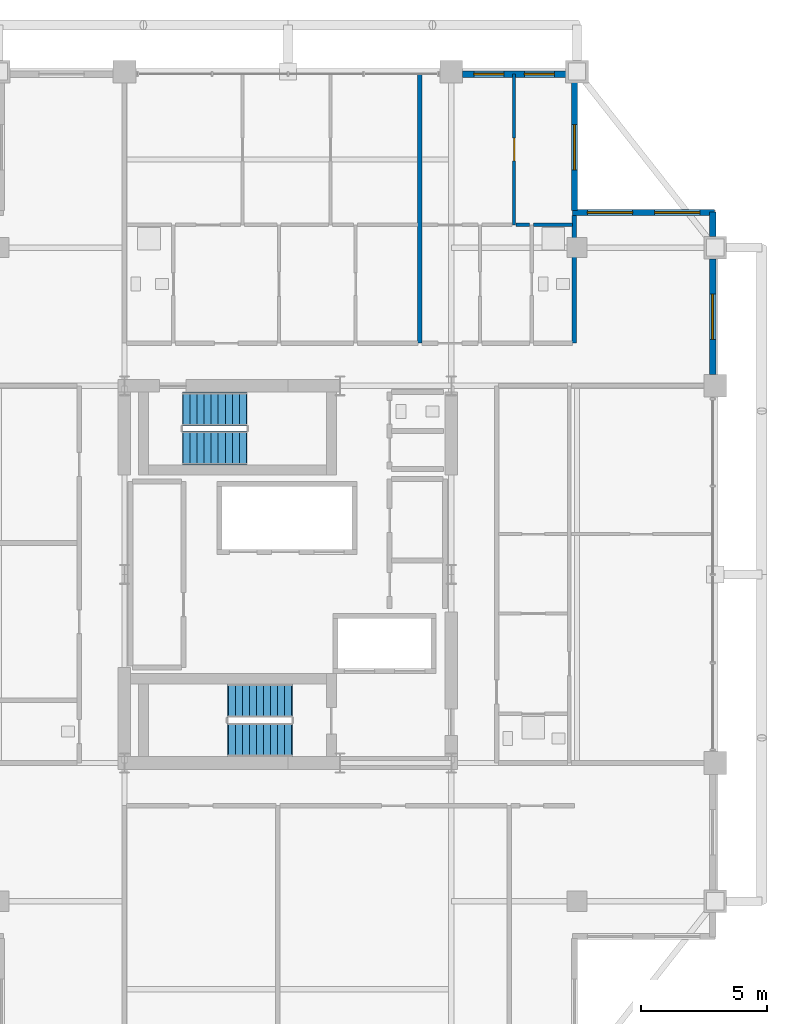
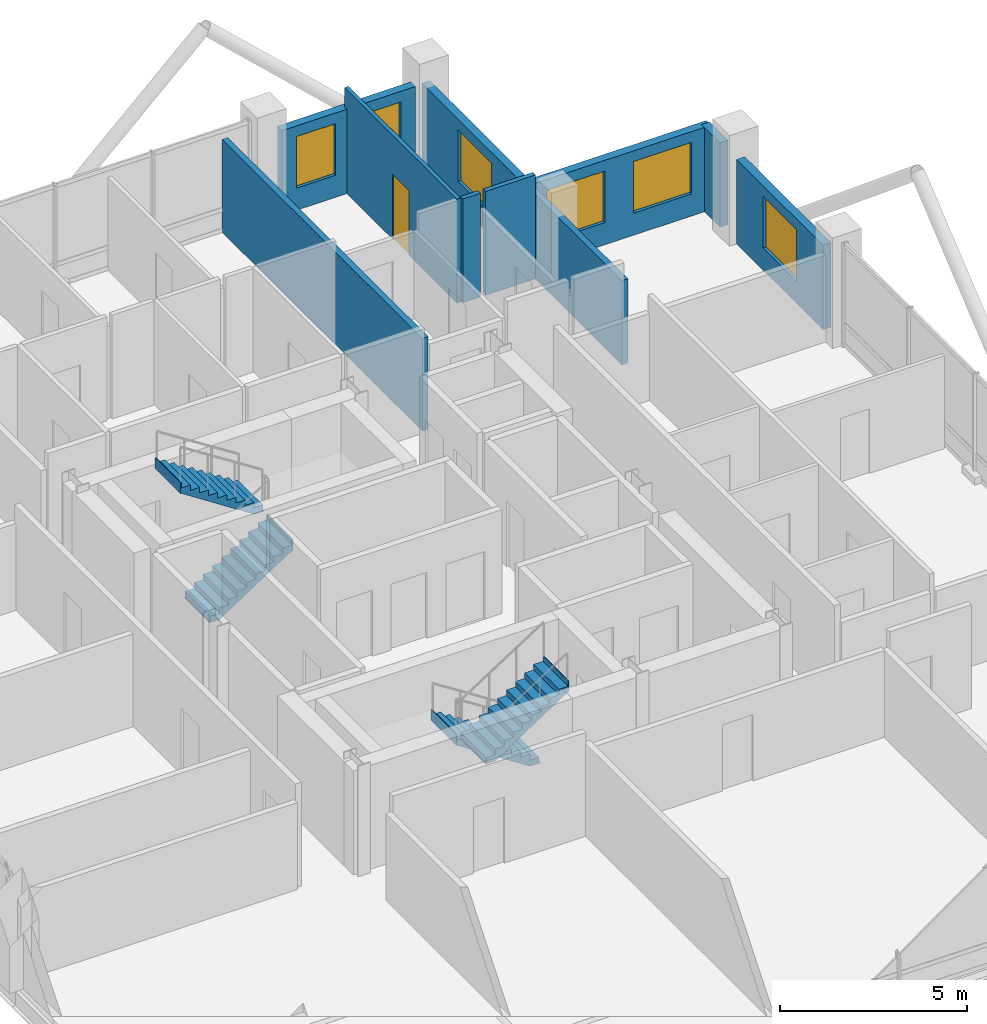
# One storey, part 22 of 24: 10 walls, 6 windows, 4 stair flights, 1 door, 7 openings, 2 elements without a shape of their own.
"""IFC4 building model written with IfcOpenShell, lengths in metres."""

import ifcopenshell
import ifcopenshell.guid

model = None  # the IFC model being written
_history = None  # IfcOwnerHistory: only IFC2X3 demands one
_inside = {}  # id of a spatial element -> (the spatial element, [elements in it])
_under = {}  # id of a project, library or spatial element -> (it, [spatial elements below it])
_declared = {}  # id of a project -> (the project, [libraries it declares])
_typed = {}  # id of a type object -> (the type object, [elements of that type])
_made_of = {}  # id of a material, layer set ... -> (it, [elements and type objects made of it])


def new_model(schema):
    """Start an empty IFC model of exactly this schema.

    Asked for "IFC4X3", IfcOpenShell would pick the latest addendum, in which some entities
    have other attributes; the version numbers below select the first issue.
    IFC2X3 requires an IfcOwnerHistory on every rooted entity: one is made here for all.
    """
    global model, _history
    if schema == "IFC4X3":
        model = ifcopenshell.file(schema_version=(4, 3, 0, 0))
    else:
        model = ifcopenshell.file(schema=schema)
    _inside.clear()
    _under.clear()
    _declared.clear()
    _typed.clear()
    _made_of.clear()
    _history = None
    if model.schema == "IFC2X3":
        org = make("IfcOrganization", Name="unknown")
        user = make(
            "IfcPersonAndOrganization",
            ThePerson=make("IfcPerson", FamilyName="unknown"),
            TheOrganization=org,
        )
        app = make(
            "IfcApplication",
            ApplicationDeveloper=org,
            Version="unknown",
            ApplicationFullName="unknown",
            ApplicationIdentifier="unknown",
        )
        _history = make(
            "IfcOwnerHistory",
            OwningUser=user,
            OwningApplication=app,
            ChangeAction="ADDED",
            CreationDate=0,
        )
    return model


def make(cls, **values):
    """One entity of the class cls with the attributes given. An attribute that is None is left unset."""
    return model.create_entity(
        cls, **{name: value for name, value in values.items() if value is not None}
    )


def rooted(cls, **values):
    """An entity with a GlobalId (a new one), such as an element, a storey or a relation."""
    return make(cls, GlobalId=ifcopenshell.guid.new(), OwnerHistory=_history, **values)


def si_unit(unit_type, name, prefix=None):
    """IfcSIUnit, for example si_unit("LENGTHUNIT", "METRE", prefix="MILLI")."""
    return make("IfcSIUnit", UnitType=unit_type, Prefix=prefix, Name=name)


def assignment(units):
    """IfcUnitAssignment: the units of a project."""
    return None if units is None else make("IfcUnitAssignment", Units=units)


def point(xyz):
    """IfcCartesianPoint."""
    return None if xyz is None else make("IfcCartesianPoint", Coordinates=xyz)


def direction(xyz):
    """IfcDirection."""
    return None if xyz is None else make("IfcDirection", DirectionRatios=xyz)


def frame(location, z_axis=None, x_axis=None):
    """IfcAxis2Placement3D, a coordinate frame: its origin and axes. An axis left out is left unset."""
    return make(
        "IfcAxis2Placement3D",
        Location=point(location),
        Axis=direction(z_axis),
        RefDirection=direction(x_axis),
    )


def frame_2d(location, x_axis=None):
    """IfcAxis2Placement2D, a coordinate frame in the plane: its origin and x axis."""
    return make(
        "IfcAxis2Placement2D", Location=point(location), RefDirection=direction(x_axis)
    )


def origin():
    """The frame at (0, 0, 0) with its axes left unset."""
    return frame((0.0, 0.0, 0.0))


def place(relative_to, where):
    """IfcLocalPlacement: puts the frame where relative to a parent placement (None: the world)."""
    return make(
        "IfcLocalPlacement", PlacementRelTo=relative_to, RelativePlacement=where
    )


def context(
    kind, dimensions, precision=None, world=None, true_north=None, identifier=None
):
    """IfcGeometricRepresentationContext, for example the 3D "Model" context."""
    return make(
        "IfcGeometricRepresentationContext",
        ContextIdentifier=identifier,
        ContextType=kind,
        CoordinateSpaceDimension=dimensions,
        Precision=precision,
        WorldCoordinateSystem=world,
        TrueNorth=true_north,
    )


def subcontext(parent, identifier, kind, view, scale=None):
    """IfcGeometricRepresentationSubContext, for example "Body" below "Model"."""
    return make(
        "IfcGeometricRepresentationSubContext",
        ContextIdentifier=identifier,
        ContextType=kind,
        ParentContext=parent,
        TargetScale=scale,
        TargetView=view,
    )


def project(units=None, contexts=None):
    """IfcProject with its units and contexts."""
    return rooted(
        "IfcProject",
        Name="project",
        RepresentationContexts=contexts,
        UnitsInContext=assignment(units),
    )


def spatial(cls, under=None, at=None, **own):
    """A site, building, storey or space (cls), placed at a placement, below another one or the project."""
    s = rooted(cls, ObjectPlacement=at, **own)
    if under is not None:
        _under.setdefault(under.id(), (under, []))[1].append(s)
    return s


def polyline(points):
    """IfcPolyline through the points."""
    return make("IfcPolyline", Points=[point(p) for p in points])


def profile(cls, at=None, kind="AREA", **sizes):
    """A parametric profile (cls). Its sizes go by their IFC names, for example OverallWidth=200.0."""
    return make(cls, ProfileType=kind, Position=at, **sizes)


def rectangle(**sizes):
    """IfcRectangleProfileDef."""
    return profile("IfcRectangleProfileDef", **sizes)


def outline(outer, holes=None, kind="AREA"):
    """IfcArbitraryClosedProfileDef: a profile drawn as a closed curve; with holes, ...WithVoids."""
    if holes is None:
        return make("IfcArbitraryClosedProfileDef", ProfileType=kind, OuterCurve=outer)
    return make(
        "IfcArbitraryProfileDefWithVoids",
        ProfileType=kind,
        OuterCurve=outer,
        InnerCurves=holes,
    )


def extrude(swept, where, along, depth):
    """IfcExtrudedAreaSolid: the profile swept, set in the frame where, extruded along a direction by depth."""
    return make(
        "IfcExtrudedAreaSolid",
        SweptArea=swept,
        Position=where,
        ExtrudedDirection=direction(along),
        Depth=depth,
    )


def shape(context_of_items, identifier, shape_type, items):
    """IfcShapeRepresentation: the items that make up one representation, for example the "Body"."""
    return make(
        "IfcShapeRepresentation",
        ContextOfItems=context_of_items,
        RepresentationIdentifier=identifier,
        RepresentationType=shape_type,
        Items=items,
    )


def material(Name=None, Category=None):
    """IfcMaterial."""
    return make("IfcMaterial", Name=Name, Category=Category)


def layer(
    of_material, thickness, ventilated=None, Name=None, Category=None, Priority=None
):
    """IfcMaterialLayer: one layer of a wall or slab, of a material (None: an air gap)."""
    return make(
        "IfcMaterialLayer",
        Material=of_material,
        LayerThickness=thickness,
        IsVentilated=ventilated,
        Name=Name,
        Category=Category,
        Priority=Priority,
    )


def layer_set(layers, Name=None):
    """IfcMaterialLayerSet."""
    return make("IfcMaterialLayerSet", MaterialLayers=layers, LayerSetName=Name)


def made_of(thing, what):
    """Note that an element or type object is made of a material, layer set ...; save() writes the relation."""
    if what is not None:
        _made_of.setdefault(what.id(), (what, []))[1].append(thing)
    return thing


def type_object(cls, material=None, **own):
    """A type object (cls), such as IfcWallType, which elements share."""
    return made_of(rooted(cls, **own), material)


def element(
    cls,
    number,
    at=None,
    inside=None,
    cuts=None,
    type_object=None,
    material=None,
    context=None,
    identifier="Body",
    shape_type=None,
    held_by="IfcProductDefinitionShape",
    body=None,
    shapes=None,
    **own,
):
    """One element of the class cls, such as IfcWall. Its Tag is "e" and its number.

    at: its placement. inside: the storey or other place that contains it. cuts: it is an
    opening in that element (IfcRelVoidsElement). A single representation is given by context,
    identifier, shape_type and body (its items); several are given by shapes. held_by: the class
    of the entity that holds the representations. save() writes the other relations.
    """
    e = rooted(cls, Tag="e%d" % number, ObjectPlacement=at, **own)
    if body is not None:
        shapes = [shape(context, identifier, shape_type, body)]
    if shapes is not None:
        e.Representation = make(held_by, Representations=shapes)
    if inside is not None:
        _inside.setdefault(inside.id(), (inside, []))[1].append(e)
    if cuts is not None:
        rooted(
            "IfcRelVoidsElement", RelatingBuildingElement=cuts, RelatedOpeningElement=e
        )
    if type_object is not None:
        _typed.setdefault(type_object.id(), (type_object, []))[1].append(e)
    return made_of(e, material)


def fill(opening, filler):
    """IfcRelFillsElement: the door or window that sits in an opening."""
    return rooted(
        "IfcRelFillsElement",
        RelatingOpeningElement=opening,
        RelatedBuildingElement=filler,
    )


def aggregate(whole, parts):
    """IfcRelAggregates: a whole, such as a stair, and the parts it consists of."""
    return rooted("IfcRelAggregates", RelatingObject=whole, RelatedObjects=parts)


def save(model, path):
    """Write the relations noted so far, then the file.

    IfcRelAggregates (storeys below a building ...), IfcRelContainedInSpatialStructure (elements
    in a storey), IfcRelDefinesByType, IfcRelAssociatesMaterial and IfcRelDeclares: one each for
    every whole, place, type object, material and project.
    """
    for whole, parts in _under.values():
        aggregate(whole, parts)
    for where, things in _inside.values():
        rooted(
            "IfcRelContainedInSpatialStructure",
            RelatedElements=things,
            RelatingStructure=where,
        )
    for kind, things in _typed.values():
        rooted("IfcRelDefinesByType", RelatedObjects=things, RelatingType=kind)
    for what, things in _made_of.values():
        rooted("IfcRelAssociatesMaterial", RelatedObjects=things, RelatingMaterial=what)
    for by, libraries in _declared.values():
        rooted("IfcRelDeclares", RelatingContext=by, RelatedDefinitions=libraries)
    model.write(path)


model = new_model("IFC4")

# Units and contexts
model_context = context("Model", 3, precision=1e-05, world=origin(), true_north=direction((0.0, 1.0)))
body_context = subcontext(model_context, "Body", "Model", "MODEL_VIEW")
ifc_project = project(units=[si_unit("LENGTHUNIT", "METRE"), si_unit("AREAUNIT", "SQUARE_METRE"), si_unit("VOLUMEUNIT", "CUBIC_METRE"), si_unit("PLANEANGLEUNIT", "RADIAN"), si_unit("MASSUNIT", "GRAM", prefix="KILO")], contexts=[model_context])

# Site, building, storey
site_placement = place(None, origin())
site = spatial("IfcSite", under=ifc_project, at=site_placement, CompositionType="ELEMENT")
building_placement = place(site_placement, origin())
building = spatial("IfcBuilding", under=site, at=building_placement, Name="Barlavira Tower and Art Museum", CompositionType="ELEMENT")
storey_placement = place(building_placement, frame((0.0, 0.0, 283.5)))
storey = spatial("IfcBuildingStorey", under=building, at=storey_placement, Name="L74", CompositionType="ELEMENT", Elevation=283.5)

# Wall, opening, door
ifc_material_1 = material(Name="Gypsum acoustic stud partition", Category="gypsum")
ifc_layer_1 = layer(ifc_material_1, 0.1201171875, Name="Gypsum acoustic stud partition")
ifc_layer_set_1 = layer_set([ifc_layer_1], Name="Gypsum acoustic stud partition")
wall_type_1 = type_object("IfcWallType", Name="Apartment Internal Acoustic Partition 120", PredefinedType="PARTITIONING", material=ifc_layer_set_1)
wall_1_placement = place(storey_placement, frame((9.0, 13.89990234375, 0.0), z_axis=(0.0, 0.0, 1.0), x_axis=(0.0, 1.0, 0.0)))
wall_1 = element("IfcWall", 1, at=wall_1_placement, inside=storey, type_object=wall_type_1, Name="L74 Partition Wall 19", PredefinedType="PARTITIONING", context=body_context, shape_type="SweptSolid", body=[
    extrude(rectangle(XDim=6.0, YDim=0.1201171875, at=frame_2d((3.0, 0.0))), origin(), (0.0, 0.0, 1.0), 3.3798828125),
])
opening_1_placement = place(wall_1_placement, frame((2.550048828125, 0.0, 0.0)))
opening_1 = element("IfcOpeningElement", 2, at=opening_1_placement, cuts=wall_1, Name="Opening D-01", PredefinedType="OPENING", context=body_context, shape_type="SweptSolid", body=[
    extrude(rectangle(XDim=0.89990234375, YDim=2.10009765625, at=frame_2d((0.449951171875, 1.050048828125))), frame((0.0, 0.070068359375, 0.0), z_axis=(0.0, -1.0, 0.0), x_axis=(1.0, 0.0, 0.0)), (0.0, 0.0, 1.0), 0.14013671875),
])
ifc_material_2 = material(Name="Engineered coastal hardwood", Category="wood")
door_type = type_object("IfcDoorType", Name="Internal Bedroom Timber Flush Door 900x2100", OperationType="NOTDEFINED", PredefinedType="DOOR", material=ifc_material_2)
door_placement = place(opening_1_placement, origin())
door = element("IfcDoor", 3, at=door_placement, inside=storey, type_object=door_type, Name="Apartment N2 Bedroom 1 Door", OperationType="SINGLE_SWING_LEFT", OverallHeight=2.10009765625, OverallWidth=0.89990234375, PredefinedType="DOOR", context=body_context, shape_type="SweptSolid", body=[
    extrude(rectangle(XDim=0.89990234375, YDim=2.10009765625, at=frame_2d((0.449951171875, 1.050048828125))), frame((0.0, 0.02490234375, 0.0), z_axis=(0.0, -1.0, 0.0), x_axis=(1.0, 0.0, 0.0)), (0.0, 0.0, 1.0), 0.050048828125),
])
fill(opening_1, door)

# Walls
ifc_layer_2 = layer(ifc_material_1, 0.179931640625, Name="Gypsum acoustic stud partition")
ifc_layer_set_2 = layer_set([ifc_layer_2], Name="Gypsum acoustic stud partition")
wall_type_2 = type_object("IfcWallType", Name="Inter-Tenancy Party Partition Wall 180", PredefinedType="PARTITIONING", material=ifc_layer_set_2)
wall_2_placement = place(storey_placement, frame((5.25, 9.199951171875, 0.0), z_axis=(0.0, 0.0, 1.0), x_axis=(0.0, 1.0, 0.0)))
element("IfcWall", 4, at=wall_2_placement, inside=storey, type_object=wall_type_2, Name="L74 Partition Wall 14", PredefinedType="PARTITIONING", context=body_context, shape_type="SweptSolid", body=[
    extrude(rectangle(XDim=10.699951171875, YDim=0.179931640625, at=frame_2d((5.35009765625, 0.0))), origin(), (0.0, 0.0, 1.0), 3.01806640625),
])
wall_3_placement = place(storey_placement, frame((11.39990234375, 9.199951171875, 0.0), z_axis=(0.0, 0.0, 1.0), x_axis=(0.0, 1.0, 0.0)))
element("IfcWall", 5, at=wall_3_placement, inside=storey, type_object=wall_type_2, Name="L74 Partition Wall 22", PredefinedType="PARTITIONING", context=body_context, shape_type="SweptSolid", body=[
    extrude(rectangle(XDim=5.070068359375, YDim=0.179931640625, at=frame_2d((2.53515625, 0.0))), origin(), (0.0, 0.0, 1.0), 2.748046875),
])
ifc_layer_3 = layer(ifc_material_1, 0.139892578125, Name="Gypsum acoustic stud partition")
ifc_layer_set_3 = layer_set([ifc_layer_3], Name="Gypsum acoustic stud partition")
wall_type_3 = type_object("IfcWallType", Name="Moisture-Resistant Bathroom Partition 140", PredefinedType="PARTITIONING", material=ifc_layer_set_3)
wall_4_placement = place(storey_placement, frame((9.080078125, 13.89990234375, 0.0), z_axis=(0.0, 0.0, 1.0), x_axis=(1.0, 0.0, 0.0)))
element("IfcWall", 6, at=wall_4_placement, inside=storey, type_object=wall_type_3, Name="L74 Partition Wall 60", PredefinedType="PARTITIONING", context=body_context, shape_type="SweptSolid", body=[
    extrude(rectangle(XDim=0.5400390625, YDim=0.139892578125, at=frame_2d((0.27001953125, 0.0))), origin(), (0.0, 0.0, 1.0), 3.3798828125),
])
wall_5_placement = place(storey_placement, frame((9.780029296875, 13.89990234375, 0.0), z_axis=(0.0, 0.0, 1.0), x_axis=(1.0, 0.0, 0.0)))
element("IfcWall", 7, at=wall_5_placement, inside=storey, type_object=wall_type_3, Name="L74 Partition Wall 61", PredefinedType="PARTITIONING", context=body_context, shape_type="SweptSolid", body=[
    extrude(rectangle(XDim=1.5400390625, YDim=0.139892578125, at=frame_2d((0.77001953125, 0.0))), origin(), (0.0, 0.0, 1.0), 3.3798828125),
])

# Wall, openings, windows
ifc_material_3 = material(Name="Precast concrete C40", Category="concrete")
ifc_layer_4 = layer(ifc_material_3, 0.25, Name="Precast concrete C40")
ifc_layer_set_4 = layer_set([ifc_layer_4], Name="Precast concrete C40")
wall_type_4 = type_object("IfcWallType", Name="Notched Corner Spandrel Wall 250 Precast Concrete C40", PredefinedType="SOLIDWALL", material=ifc_layer_set_4)
wall_6_placement = place(storey_placement, frame((11.054931640625, 19.89990234375, 0.0), z_axis=(0.0, 0.0, 1.0), x_axis=(-1.0, 0.0, 0.0)))
wall_6 = element("IfcWall", 8, at=wall_6_placement, inside=storey, type_object=wall_type_4, Name="L74 Coastal Facade Pier Wall CW4-L74-N-1", PredefinedType="SOLIDWALL", context=body_context, shape_type="SweptSolid", body=[
    extrude(rectangle(XDim=4.10986328125, YDim=0.25, at=frame_2d((2.054931640625, 0.0))), origin(), (0.0, 0.0, 1.0), 2.748046875),
])
opening_2_placement = place(wall_6_placement, frame((0.449951171875, 0.0, 0.719970703125)))
opening_2 = element("IfcOpeningElement", 9, at=opening_2_placement, cuts=wall_6, Name="Opening WN-05", PredefinedType="OPENING", context=body_context, shape_type="SweptSolid", body=[
    extrude(rectangle(XDim=1.199951171875, YDim=1.679931640625, at=frame_2d((0.60009765625, 0.83984375))), frame((0.0, 0.135009765625, 0.0), z_axis=(0.0, -1.0, 0.0), x_axis=(1.0, 0.0, 0.0)), (0.0, 0.0, 1.0), 0.27001953125),
])
opening_3_placement = place(wall_6_placement, frame((2.4599609375, 0.0, 0.719970703125)))
opening_3 = element("IfcOpeningElement", 10, at=opening_3_placement, cuts=wall_6, Name="Opening WN-05", PredefinedType="OPENING", context=body_context, shape_type="SweptSolid", body=[
    extrude(rectangle(XDim=1.199951171875, YDim=1.679931640625, at=frame_2d((0.60009765625, 0.83984375))), frame((0.0, 0.135009765625, 0.0), z_axis=(0.0, -1.0, 0.0), x_axis=(1.0, 0.0, 0.0)), (0.0, 0.0, 1.0), 0.27001953125),
])
ifc_material_4 = material(Name="Low-iron coastal laminated glass", Category="glass")
window_type_1 = type_object("IfcWindowType", Name="Recessed Flank Pier Punch Window 1200x1680", PartitioningType="SINGLE_PANEL", PredefinedType="WINDOW", material=ifc_material_4)
window_1_placement = place(opening_2_placement, origin())
window_1 = element("IfcWindow", 11, at=window_1_placement, inside=storey, type_object=window_type_1, Name="L74 Punched Facade Window EWP-CW4-L74-N-1-1", OverallHeight=1.679931640625, OverallWidth=1.199951171875, PartitioningType="SINGLE_PANEL", PredefinedType="WINDOW", context=body_context, shape_type="SweptSolid", body=[
    extrude(rectangle(XDim=1.199951171875, YDim=1.679931640625, at=frame_2d((0.60009765625, 0.83984375))), frame((0.0, 0.030029296875, 0.0), z_axis=(0.0, -1.0, 0.0), x_axis=(1.0, 0.0, 0.0)), (0.0, 0.0, 1.0), 0.06005859375),
])
fill(opening_2, window_1)
window_2_placement = place(opening_3_placement, origin())
window_2 = element("IfcWindow", 12, at=window_2_placement, inside=storey, type_object=window_type_1, Name="L74 Punched Facade Window EWP-CW4-L74-N-1-2", OverallHeight=1.679931640625, OverallWidth=1.199951171875, PartitioningType="SINGLE_PANEL", PredefinedType="WINDOW", context=body_context, shape_type="SweptSolid", body=[
    extrude(rectangle(XDim=1.199951171875, YDim=1.679931640625, at=frame_2d((0.60009765625, 0.83984375))), frame((0.0, 0.030029296875, 0.0), z_axis=(0.0, -1.0, 0.0), x_axis=(1.0, 0.0, 0.0)), (0.0, 0.0, 1.0), 0.06005859375),
])
fill(opening_3, window_2)

# Wall, opening, window
wall_7_placement = place(storey_placement, frame((16.89990234375, 7.945068359375, 0.0), z_axis=(0.0, 0.0, 1.0), x_axis=(0.0, 1.0, 0.0)))
wall_7 = element("IfcWall", 13, at=wall_7_placement, inside=storey, type_object=wall_type_4, Name="L74 Coastal Facade Pier Wall CW4-L74-E-4", PredefinedType="SOLIDWALL", context=body_context, shape_type="SweptSolid", body=[
    extrude(rectangle(XDim=4.60986328125, YDim=0.25, at=frame_2d((2.304931640625, 0.0))), origin(), (0.0, 0.0, 1.0), 2.748046875),
])
opening_4_placement = place(wall_7_placement, frame((1.405029296875, 0.0, 0.719970703125)))
opening_4 = element("IfcOpeningElement", 14, at=opening_4_placement, cuts=wall_7, Name="Opening WN-01", PredefinedType="OPENING", context=body_context, shape_type="SweptSolid", body=[
    extrude(rectangle(XDim=1.800048828125, YDim=1.679931640625, at=frame_2d((0.89990234375, 0.83984375))), frame((0.0, 0.135009765625, 0.0), z_axis=(0.0, -1.0, 0.0), x_axis=(1.0, 0.0, 0.0)), (0.0, 0.0, 1.0), 0.27001953125),
])
window_type_2 = type_object("IfcWindowType", Name="Recessed Notch Corner Punch Window 1800x1680", PartitioningType="SINGLE_PANEL", PredefinedType="WINDOW", material=ifc_material_4)
window_3_placement = place(opening_4_placement, origin())
window_3 = element("IfcWindow", 15, at=window_3_placement, inside=storey, type_object=window_type_2, Name="L74 Punched Facade Window EWP-CW4-L74-E-4-1", OverallHeight=1.679931640625, OverallWidth=1.800048828125, PartitioningType="SINGLE_PANEL", PredefinedType="WINDOW", context=body_context, shape_type="SweptSolid", body=[
    extrude(rectangle(XDim=1.800048828125, YDim=1.679931640625, at=frame_2d((0.89990234375, 0.83984375))), frame((0.0, 0.030029296875, 0.0), z_axis=(0.0, -1.0, 0.0), x_axis=(1.0, 0.0, 0.0)), (0.0, 0.0, 1.0), 0.06005859375),
])
fill(opening_4, window_3)

# Wall
wall_8_placement = place(storey_placement, frame((16.89990234375, 13.445068359375, 0.0), z_axis=(0.0, 0.0, 1.0), x_axis=(0.0, 1.0, 0.0)))
element("IfcWall", 16, at=wall_8_placement, inside=storey, type_object=wall_type_4, Name="L74 Coastal Facade Pier Wall CW4-L74-E-5", PredefinedType="SOLIDWALL", context=body_context, shape_type="SweptSolid", body=[
    extrude(rectangle(XDim=0.97998046875, YDim=0.25, at=frame_2d((0.489990234375, 0.0))), origin(), (0.0, 0.0, 1.0), 2.748046875),
])

# Wall, openings, windows
wall_9_placement = place(storey_placement, frame((16.97998046875, 14.39990234375, 0.0), z_axis=(0.0, 0.0, 1.0), x_axis=(-1.0, 0.0, 0.0)))
wall_9 = element("IfcWall", 17, at=wall_9_placement, inside=storey, type_object=wall_type_4, Name="L74 Notch Corner Wall NE1", PredefinedType="SOLIDWALL", context=body_context, shape_type="SweptSolid", body=[
    extrude(rectangle(XDim=5.659912109375, YDim=0.25, at=frame_2d((2.830078125, 0.0))), origin(), (0.0, 0.0, 1.0), 2.748046875),
])
opening_5_placement = place(wall_9_placement, frame((0.594970703125, 0.0, 0.719970703125)))
opening_5 = element("IfcOpeningElement", 18, at=opening_5_placement, cuts=wall_9, Name="Opening WN-01", PredefinedType="OPENING", context=body_context, shape_type="SweptSolid", body=[
    extrude(rectangle(XDim=1.800048828125, YDim=1.679931640625, at=frame_2d((0.89990234375, 0.83984375))), frame((0.0, 0.135009765625, 0.0), z_axis=(0.0, -1.0, 0.0), x_axis=(1.0, 0.0, 0.0)), (0.0, 0.0, 1.0), 0.27001953125),
])
opening_6_placement = place(wall_9_placement, frame((3.264892578125, 0.0, 0.719970703125)))
opening_6 = element("IfcOpeningElement", 19, at=opening_6_placement, cuts=wall_9, Name="Opening WN-01", PredefinedType="OPENING", context=body_context, shape_type="SweptSolid", body=[
    extrude(rectangle(XDim=1.800048828125, YDim=1.679931640625, at=frame_2d((0.89990234375, 0.83984375))), frame((0.0, 0.135009765625, 0.0), z_axis=(0.0, -1.0, 0.0), x_axis=(1.0, 0.0, 0.0)), (0.0, 0.0, 1.0), 0.27001953125),
])
window_4_placement = place(opening_5_placement, origin())
window_4 = element("IfcWindow", 20, at=window_4_placement, inside=storey, type_object=window_type_2, Name="L74 Punched Facade Window EW-NTC-L74-NE1-1", OverallHeight=1.679931640625, OverallWidth=1.800048828125, PartitioningType="SINGLE_PANEL", PredefinedType="WINDOW", context=body_context, shape_type="SweptSolid", body=[
    extrude(rectangle(XDim=1.800048828125, YDim=1.679931640625, at=frame_2d((0.89990234375, 0.83984375))), frame((0.0, 0.030029296875, 0.0), z_axis=(0.0, -1.0, 0.0), x_axis=(1.0, 0.0, 0.0)), (0.0, 0.0, 1.0), 0.06005859375),
])
fill(opening_5, window_4)
window_5_placement = place(opening_6_placement, origin())
window_5 = element("IfcWindow", 21, at=window_5_placement, inside=storey, type_object=window_type_2, Name="L74 Punched Facade Window EW-NTC-L74-NE1-2", OverallHeight=1.679931640625, OverallWidth=1.800048828125, PartitioningType="SINGLE_PANEL", PredefinedType="WINDOW", context=body_context, shape_type="SweptSolid", body=[
    extrude(rectangle(XDim=1.800048828125, YDim=1.679931640625, at=frame_2d((0.89990234375, 0.83984375))), frame((0.0, 0.030029296875, 0.0), z_axis=(0.0, -1.0, 0.0), x_axis=(1.0, 0.0, 0.0)), (0.0, 0.0, 1.0), 0.06005859375),
])
fill(opening_6, window_5)

# Wall, opening, window
wall_10_placement = place(storey_placement, frame((11.39990234375, 14.47998046875, 0.0), z_axis=(0.0, 0.0, 1.0), x_axis=(0.0, 1.0, 0.0)))
wall_10 = element("IfcWall", 22, at=wall_10_placement, inside=storey, type_object=wall_type_4, Name="L74 Notch Corner Wall NE2", PredefinedType="SOLIDWALL", context=body_context, shape_type="SweptSolid", body=[
    extrude(rectangle(XDim=5.340087890625, YDim=0.25, at=frame_2d((2.669921875, 0.0))), origin(), (0.0, 0.0, 1.0), 2.748046875),
])
opening_7_placement = place(wall_10_placement, frame((1.614990234375, 0.0, 0.719970703125)))
opening_7 = element("IfcOpeningElement", 23, at=opening_7_placement, cuts=wall_10, Name="Opening WN-01", PredefinedType="OPENING", context=body_context, shape_type="SweptSolid", body=[
    extrude(rectangle(XDim=1.800048828125, YDim=1.679931640625, at=frame_2d((0.89990234375, 0.83984375))), frame((0.0, 0.135009765625, 0.0), z_axis=(0.0, -1.0, 0.0), x_axis=(1.0, 0.0, 0.0)), (0.0, 0.0, 1.0), 0.27001953125),
])
window_6_placement = place(opening_7_placement, origin())
window_6 = element("IfcWindow", 24, at=window_6_placement, inside=storey, type_object=window_type_2, Name="L74 Punched Facade Window EW-NTC-L74-NE2-1", OverallHeight=1.679931640625, OverallWidth=1.800048828125, PartitioningType="SINGLE_PANEL", PredefinedType="WINDOW", context=body_context, shape_type="SweptSolid", body=[
    extrude(rectangle(XDim=1.800048828125, YDim=1.679931640625, at=frame_2d((0.89990234375, 0.83984375))), frame((0.0, 0.030029296875, 0.0), z_axis=(0.0, -1.0, 0.0), x_axis=(1.0, 0.0, 0.0)), (0.0, 0.0, 1.0), 0.06005859375),
])
fill(opening_7, window_6)

# Stair, stair flights
ifc_material_5 = material(Name="Concrete C45", Category="concrete")
stair_type_1 = type_object("IfcStairType", Name="Tower North Dog-Leg Exit Stair Assembly Concrete C45", PredefinedType="TWO_QUARTER_TURN_STAIR", material=ifc_material_5)
stair_1_placement = place(storey_placement, origin())
stair_1 = element("IfcStair", 25, at=stair_1_placement, inside=storey, type_object=stair_type_1, Name="L74 Tower North Exit Stair ST-T2", PredefinedType="TWO_QUARTER_TURN_STAIR")
ifc_material_6 = material(Name="Precast concrete C45", Category="concrete")
stair_flight_type_1 = type_object("IfcStairFlightType", Name="Tower North Dog-Leg Exit Stair Precast Flight 1350 Concrete C45", PredefinedType="STRAIGHT", material=ifc_material_6)
stair_flight_1_placement = place(storey_placement, frame((-4.169921875, 5.02490234375, 0.0), z_axis=(0.0, 0.0, 1.0), x_axis=(1.0, 0.0, 0.0)))
stair_flight_1 = element("IfcStairFlight", 26, at=stair_flight_1_placement, type_object=stair_flight_type_1, Name="ST-T2 flight 1", NumberOfRisers=10, NumberOfTreads=9, PredefinedType="STRAIGHT", RiserHeight=0.18, TreadLength=0.28, context=body_context, shape_type="SweptSolid", body=[
    extrude(outline(polyline([(-0.02490234375, 0.0), (0.0, 0.0), (0.0, 0.179931640625), (0.280029296875, 0.179931640625), (0.280029296875, 0.360107421875), (0.56005859375, 0.360107421875), (0.56005859375, 0.5400390625), (0.840087890625, 0.5400390625), (0.840087890625, 0.719970703125), (1.1201171875, 0.719970703125), (1.1201171875, 0.89990234375), (1.39990234375, 0.89990234375), (1.39990234375, 1.080078125), (1.679931640625, 1.080078125), (1.679931640625, 1.260009765625), (1.9599609375, 1.260009765625), (1.9599609375, 1.43994140625), (2.239990234375, 1.43994140625), (2.239990234375, 1.6201171875), (2.52001953125, 1.6201171875), (2.52001953125, 1.800048828125), (2.544921875, 1.800048828125), (2.544921875, 1.44189453125), (2.52001953125, 1.44189453125), (0.277099609375, -0.02490234375), (-0.02490234375, -0.02490234375), (-0.02490234375, 0.0)])), frame((0.0, 0.675048828125, 0.0), z_axis=(0.0, -1.0, 0.0), x_axis=(1.0, 0.0, 0.0)), (0.0, 0.0, 1.0), 1.35009765625),
])
stair_flight_2_placement = place(storey_placement, frame((-1.64990234375, 6.574951171875, 1.800048828125), z_axis=(0.0, 0.0, 1.0), x_axis=(-1.0, 0.0, 0.0)))
stair_flight_2 = element("IfcStairFlight", 27, at=stair_flight_2_placement, type_object=stair_flight_type_1, Name="ST-T2 flight 2", NumberOfRisers=10, NumberOfTreads=9, PredefinedType="STRAIGHT", RiserHeight=0.18, TreadLength=0.28, context=body_context, shape_type="SweptSolid", body=[
    extrude(outline(polyline([(-0.02490234375, 0.0), (0.0, 0.0), (0.0, 0.179931640625), (0.280029296875, 0.179931640625), (0.280029296875, 0.360107421875), (0.56005859375, 0.360107421875), (0.56005859375, 0.5400390625), (0.840087890625, 0.5400390625), (0.840087890625, 0.719970703125), (1.1201171875, 0.719970703125), (1.1201171875, 0.89990234375), (1.39990234375, 0.89990234375), (1.39990234375, 1.080078125), (1.679931640625, 1.080078125), (1.679931640625, 1.260009765625), (1.9599609375, 1.260009765625), (1.9599609375, 1.43994140625), (2.239990234375, 1.43994140625), (2.239990234375, 1.6201171875), (2.52001953125, 1.6201171875), (2.52001953125, 1.800048828125), (2.544921875, 1.800048828125), (2.544921875, 1.44189453125), (2.52001953125, 1.44189453125), (0.277099609375, -0.02490234375), (-0.02490234375, -0.02490234375), (-0.02490234375, 0.0)])), frame((0.0, 0.675048828125, 0.0), z_axis=(0.0, -1.0, 0.0), x_axis=(1.0, 0.0, 0.0)), (0.0, 0.0, 1.0), 1.35009765625),
])
aggregate(stair_1, [stair_flight_1, stair_flight_2])

stair_type_2 = type_object("IfcStairType", Name="Tower South Dog-Leg Exit Stair Assembly Concrete C45", PredefinedType="TWO_QUARTER_TURN_STAIR", material=ifc_material_5)
stair_2_placement = place(storey_placement, origin())
stair_2 = element("IfcStair", 28, at=stair_2_placement, inside=storey, type_object=stair_type_2, Name="L74 Tower South Exit Stair ST-T1", PredefinedType="TWO_QUARTER_TURN_STAIR")
stair_flight_type_2 = type_object("IfcStairFlightType", Name="Tower South Dog-Leg Exit Stair Precast Flight 1350 Concrete C45", PredefinedType="STRAIGHT", material=ifc_material_6)
stair_flight_3_placement = place(storey_placement, frame((0.14990234375, -5.02490234375, 0.0), z_axis=(0.0, 0.0, 1.0), x_axis=(-1.0, 0.0, 0.0)))
stair_flight_3 = element("IfcStairFlight", 29, at=stair_flight_3_placement, type_object=stair_flight_type_2, Name="ST-T1 flight 1", NumberOfRisers=10, NumberOfTreads=9, PredefinedType="STRAIGHT", RiserHeight=0.18, TreadLength=0.28, context=body_context, shape_type="SweptSolid", body=[
    extrude(outline(polyline([(-0.02490234375, 0.0), (0.0, 0.0), (0.0, 0.179931640625), (0.280029296875, 0.179931640625), (0.280029296875, 0.360107421875), (0.56005859375, 0.360107421875), (0.56005859375, 0.5400390625), (0.840087890625, 0.5400390625), (0.840087890625, 0.719970703125), (1.1201171875, 0.719970703125), (1.1201171875, 0.89990234375), (1.39990234375, 0.89990234375), (1.39990234375, 1.080078125), (1.679931640625, 1.080078125), (1.679931640625, 1.260009765625), (1.9599609375, 1.260009765625), (1.9599609375, 1.43994140625), (2.239990234375, 1.43994140625), (2.239990234375, 1.6201171875), (2.52001953125, 1.6201171875), (2.52001953125, 1.800048828125), (2.544921875, 1.800048828125), (2.544921875, 1.44189453125), (2.52001953125, 1.44189453125), (0.277099609375, -0.02490234375), (-0.02490234375, -0.02490234375), (-0.02490234375, 0.0)])), frame((0.0, 0.675048828125, 0.0), z_axis=(0.0, -1.0, 0.0), x_axis=(1.0, 0.0, 0.0)), (0.0, 0.0, 1.0), 1.35009765625),
])
stair_flight_4_placement = place(storey_placement, frame((-2.3701171875, -6.574951171875, 1.800048828125), z_axis=(0.0, 0.0, 1.0), x_axis=(1.0, 0.0, 0.0)))
stair_flight_4 = element("IfcStairFlight", 30, at=stair_flight_4_placement, type_object=stair_flight_type_2, Name="ST-T1 flight 2", NumberOfRisers=10, NumberOfTreads=9, PredefinedType="STRAIGHT", RiserHeight=0.18, TreadLength=0.28, context=body_context, shape_type="SweptSolid", body=[
    extrude(outline(polyline([(-0.02490234375, 0.0), (0.0, 0.0), (0.0, 0.179931640625), (0.280029296875, 0.179931640625), (0.280029296875, 0.360107421875), (0.56005859375, 0.360107421875), (0.56005859375, 0.5400390625), (0.840087890625, 0.5400390625), (0.840087890625, 0.719970703125), (1.1201171875, 0.719970703125), (1.1201171875, 0.89990234375), (1.39990234375, 0.89990234375), (1.39990234375, 1.080078125), (1.679931640625, 1.080078125), (1.679931640625, 1.260009765625), (1.9599609375, 1.260009765625), (1.9599609375, 1.43994140625), (2.239990234375, 1.43994140625), (2.239990234375, 1.6201171875), (2.52001953125, 1.6201171875), (2.52001953125, 1.800048828125), (2.544921875, 1.800048828125), (2.544921875, 1.44189453125), (2.52001953125, 1.44189453125), (0.277099609375, -0.02490234375), (-0.02490234375, -0.02490234375), (-0.02490234375, 0.0)])), frame((0.0, 0.675048828125, 0.0), z_axis=(0.0, -1.0, 0.0), x_axis=(1.0, 0.0, 0.0)), (0.0, 0.0, 1.0), 1.35009765625),
])
aggregate(stair_2, [stair_flight_3, stair_flight_4])

save(model, "model.ifc")
